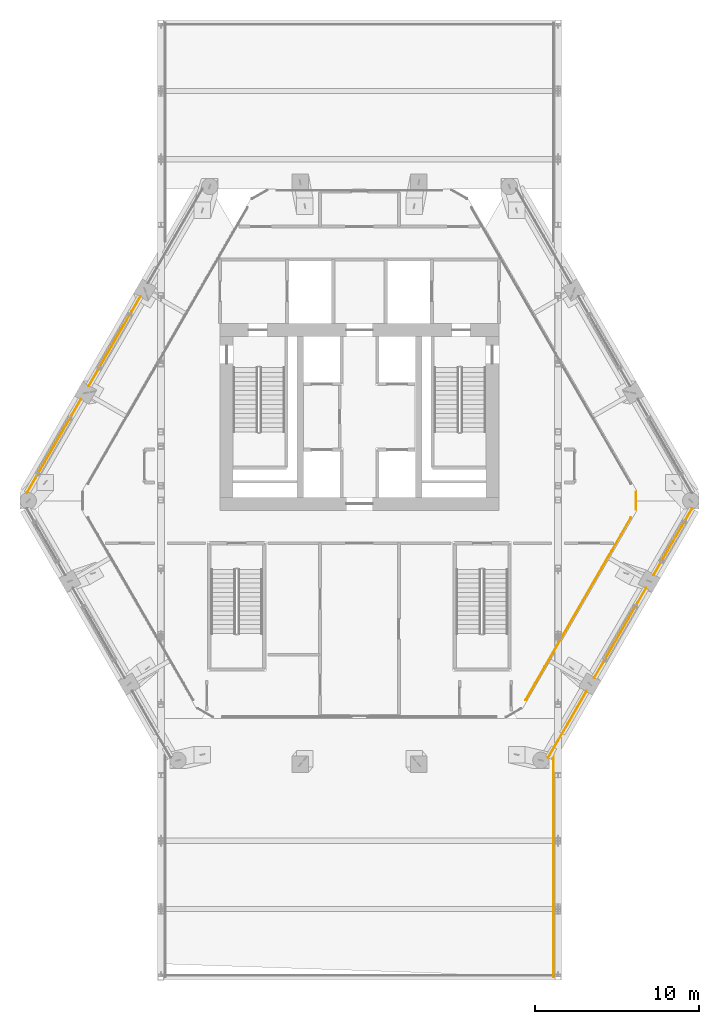
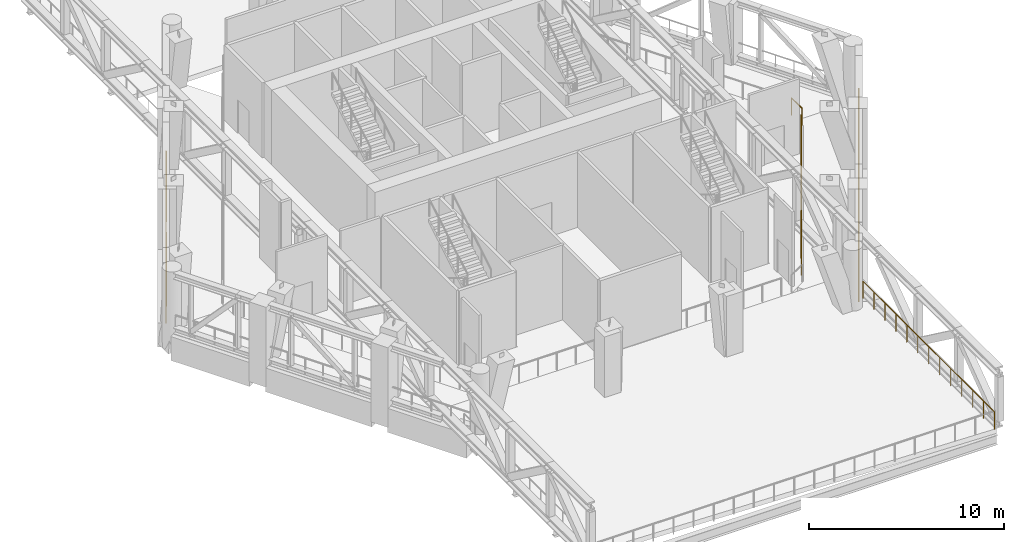
# One storey, part 20 of 22: 8 railings.
"""IFC4 building model written with IfcOpenShell, lengths in metres."""

import ifcopenshell
import ifcopenshell.guid

model = None  # the IFC model being written
_history = None  # IfcOwnerHistory: only IFC2X3 demands one
_inside = {}  # id of a spatial element -> (the spatial element, [elements in it])
_under = {}  # id of a project, library or spatial element -> (it, [spatial elements below it])
_declared = {}  # id of a project -> (the project, [libraries it declares])
_typed = {}  # id of a type object -> (the type object, [elements of that type])
_made_of = {}  # id of a material, layer set ... -> (it, [elements and type objects made of it])


def new_model(schema):
    """Start an empty IFC model of exactly this schema.

    Asked for "IFC4X3", IfcOpenShell would pick the latest addendum, in which some entities
    have other attributes; the version numbers below select the first issue.
    IFC2X3 requires an IfcOwnerHistory on every rooted entity: one is made here for all.
    """
    global model, _history
    if schema == "IFC4X3":
        model = ifcopenshell.file(schema_version=(4, 3, 0, 0))
    else:
        model = ifcopenshell.file(schema=schema)
    _inside.clear()
    _under.clear()
    _declared.clear()
    _typed.clear()
    _made_of.clear()
    _history = None
    if model.schema == "IFC2X3":
        org = make("IfcOrganization", Name="unknown")
        user = make(
            "IfcPersonAndOrganization",
            ThePerson=make("IfcPerson", FamilyName="unknown"),
            TheOrganization=org,
        )
        app = make(
            "IfcApplication",
            ApplicationDeveloper=org,
            Version="unknown",
            ApplicationFullName="unknown",
            ApplicationIdentifier="unknown",
        )
        _history = make(
            "IfcOwnerHistory",
            OwningUser=user,
            OwningApplication=app,
            ChangeAction="ADDED",
            CreationDate=0,
        )
    return model


def make(cls, **values):
    """One entity of the class cls with the attributes given. An attribute that is None is left unset."""
    return model.create_entity(
        cls, **{name: value for name, value in values.items() if value is not None}
    )


def rooted(cls, **values):
    """An entity with a GlobalId (a new one), such as an element, a storey or a relation."""
    return make(cls, GlobalId=ifcopenshell.guid.new(), OwnerHistory=_history, **values)


def si_unit(unit_type, name, prefix=None):
    """IfcSIUnit, for example si_unit("LENGTHUNIT", "METRE", prefix="MILLI")."""
    return make("IfcSIUnit", UnitType=unit_type, Prefix=prefix, Name=name)


def assignment(units):
    """IfcUnitAssignment: the units of a project."""
    return None if units is None else make("IfcUnitAssignment", Units=units)


def point(xyz):
    """IfcCartesianPoint."""
    return None if xyz is None else make("IfcCartesianPoint", Coordinates=xyz)


def direction(xyz):
    """IfcDirection."""
    return None if xyz is None else make("IfcDirection", DirectionRatios=xyz)


def frame(location, z_axis=None, x_axis=None):
    """IfcAxis2Placement3D, a coordinate frame: its origin and axes. An axis left out is left unset."""
    return make(
        "IfcAxis2Placement3D",
        Location=point(location),
        Axis=direction(z_axis),
        RefDirection=direction(x_axis),
    )


def frame_2d(location, x_axis=None):
    """IfcAxis2Placement2D, a coordinate frame in the plane: its origin and x axis."""
    return make(
        "IfcAxis2Placement2D", Location=point(location), RefDirection=direction(x_axis)
    )


def origin():
    """The frame at (0, 0, 0) with its axes left unset."""
    return frame((0.0, 0.0, 0.0))


def origin_2d():
    """The frame at (0, 0) in the plane with its x axis left unset."""
    return frame_2d((0.0, 0.0))


def place(relative_to, where):
    """IfcLocalPlacement: puts the frame where relative to a parent placement (None: the world)."""
    return make(
        "IfcLocalPlacement", PlacementRelTo=relative_to, RelativePlacement=where
    )


def context(
    kind, dimensions, precision=None, world=None, true_north=None, identifier=None
):
    """IfcGeometricRepresentationContext, for example the 3D "Model" context."""
    return make(
        "IfcGeometricRepresentationContext",
        ContextIdentifier=identifier,
        ContextType=kind,
        CoordinateSpaceDimension=dimensions,
        Precision=precision,
        WorldCoordinateSystem=world,
        TrueNorth=true_north,
    )


def subcontext(parent, identifier, kind, view, scale=None):
    """IfcGeometricRepresentationSubContext, for example "Body" below "Model"."""
    return make(
        "IfcGeometricRepresentationSubContext",
        ContextIdentifier=identifier,
        ContextType=kind,
        ParentContext=parent,
        TargetScale=scale,
        TargetView=view,
    )


def project(units=None, contexts=None):
    """IfcProject with its units and contexts."""
    return rooted(
        "IfcProject",
        Name="project",
        RepresentationContexts=contexts,
        UnitsInContext=assignment(units),
    )


def spatial(cls, under=None, at=None, **own):
    """A site, building, storey or space (cls), placed at a placement, below another one or the project."""
    s = rooted(cls, ObjectPlacement=at, **own)
    if under is not None:
        _under.setdefault(under.id(), (under, []))[1].append(s)
    return s


def profile(cls, at=None, kind="AREA", **sizes):
    """A parametric profile (cls). Its sizes go by their IFC names, for example OverallWidth=200.0."""
    return make(cls, ProfileType=kind, Position=at, **sizes)


def circle(**sizes):
    """IfcCircleProfileDef."""
    return profile("IfcCircleProfileDef", **sizes)


def extrude(swept, where, along, depth):
    """IfcExtrudedAreaSolid: the profile swept, set in the frame where, extruded along a direction by depth."""
    return make(
        "IfcExtrudedAreaSolid",
        SweptArea=swept,
        Position=where,
        ExtrudedDirection=direction(along),
        Depth=depth,
    )


def shape(context_of_items, identifier, shape_type, items):
    """IfcShapeRepresentation: the items that make up one representation, for example the "Body"."""
    return make(
        "IfcShapeRepresentation",
        ContextOfItems=context_of_items,
        RepresentationIdentifier=identifier,
        RepresentationType=shape_type,
        Items=items,
    )


def material(Name=None, Category=None):
    """IfcMaterial."""
    return make("IfcMaterial", Name=Name, Category=Category)


def made_of(thing, what):
    """Note that an element or type object is made of a material, layer set ...; save() writes the relation."""
    if what is not None:
        _made_of.setdefault(what.id(), (what, []))[1].append(thing)
    return thing


def type_object(cls, material=None, **own):
    """A type object (cls), such as IfcWallType, which elements share."""
    return made_of(rooted(cls, **own), material)


def element(
    cls,
    number,
    at=None,
    inside=None,
    cuts=None,
    type_object=None,
    material=None,
    context=None,
    identifier="Body",
    shape_type=None,
    held_by="IfcProductDefinitionShape",
    body=None,
    shapes=None,
    **own,
):
    """One element of the class cls, such as IfcWall. Its Tag is "e" and its number.

    at: its placement. inside: the storey or other place that contains it. cuts: it is an
    opening in that element (IfcRelVoidsElement). A single representation is given by context,
    identifier, shape_type and body (its items); several are given by shapes. held_by: the class
    of the entity that holds the representations. save() writes the other relations.
    """
    e = rooted(cls, Tag="e%d" % number, ObjectPlacement=at, **own)
    if body is not None:
        shapes = [shape(context, identifier, shape_type, body)]
    if shapes is not None:
        e.Representation = make(held_by, Representations=shapes)
    if inside is not None:
        _inside.setdefault(inside.id(), (inside, []))[1].append(e)
    if cuts is not None:
        rooted(
            "IfcRelVoidsElement", RelatingBuildingElement=cuts, RelatedOpeningElement=e
        )
    if type_object is not None:
        _typed.setdefault(type_object.id(), (type_object, []))[1].append(e)
    return made_of(e, material)


def aggregate(whole, parts):
    """IfcRelAggregates: a whole, such as a stair, and the parts it consists of."""
    return rooted("IfcRelAggregates", RelatingObject=whole, RelatedObjects=parts)


def save(model, path):
    """Write the relations noted so far, then the file.

    IfcRelAggregates (storeys below a building ...), IfcRelContainedInSpatialStructure (elements
    in a storey), IfcRelDefinesByType, IfcRelAssociatesMaterial and IfcRelDeclares: one each for
    every whole, place, type object, material and project.
    """
    for whole, parts in _under.values():
        aggregate(whole, parts)
    for where, things in _inside.values():
        rooted(
            "IfcRelContainedInSpatialStructure",
            RelatedElements=things,
            RelatingStructure=where,
        )
    for kind, things in _typed.values():
        rooted("IfcRelDefinesByType", RelatedObjects=things, RelatingType=kind)
    for what, things in _made_of.values():
        rooted("IfcRelAssociatesMaterial", RelatedObjects=things, RelatingMaterial=what)
    for by, libraries in _declared.values():
        rooted("IfcRelDeclares", RelatingContext=by, RelatedDefinitions=libraries)
    model.write(path)


model = new_model("IFC4")

# Units and contexts
model_context = context("Model", 3, precision=1e-05, world=origin(), true_north=direction((0.0, 1.0)))
body_context = subcontext(model_context, "Body", "Model", "MODEL_VIEW")
ifc_project = project(units=[si_unit("LENGTHUNIT", "METRE"), si_unit("AREAUNIT", "SQUARE_METRE"), si_unit("VOLUMEUNIT", "CUBIC_METRE"), si_unit("PLANEANGLEUNIT", "RADIAN"), si_unit("MASSUNIT", "GRAM", prefix="KILO")], contexts=[model_context])

# Site, building, storey
site_placement = place(None, origin())
site = spatial("IfcSite", under=ifc_project, at=site_placement, CompositionType="ELEMENT")
building_placement = place(site_placement, origin())
building = spatial("IfcBuilding", under=site, at=building_placement, Name="Ostrander Bayou Hotel Tower", CompositionType="ELEMENT")
storey_placement = place(building_placement, frame((0.0, 0.0, 209.5)))
storey = spatial("IfcBuildingStorey", under=building, at=storey_placement, Name="L52", CompositionType="ELEMENT", Elevation=209.5)

# Railings
ifc_material = material(Name="Stainless steel and clear glass", Category="steel")
railing_type = type_object("IfcRailingType", Name="GR1 guard 1100 mm", PredefinedType="GUARDRAIL", material=ifc_material)
railing_1_placement = place(storey_placement, frame((-13.353759765625, 11.344970703125, 0.0)))
element("IfcRailing", 1, at=railing_1_placement, inside=storey, type_object=railing_type, Name="GR1 L52 NW-2 open band guard", PredefinedType="GUARDRAIL", context=body_context, shape_type="SweptSolid", body=[
    extrude(circle(Radius=0.02490234375, at=origin_2d()), frame((0.0, 0.0, 1.0751953125), z_axis=(-0.500013351051, -0.866017695414, 0.0), x_axis=(0.866017695414, -0.500013351051, 0.0)), (0.0, 0.0, 1.0), 6.296142578125),
    extrude(circle(Radius=0.02001953125, at=origin_2d()), origin(), (0.0, 0.0, 1.0), 1.050048828125),
    extrude(circle(Radius=0.02001953125, at=origin_2d()), frame((-0.524658203125, -0.90869140625, 0.0)), (0.0, 0.0, 1.0), 1.050048828125),
    extrude(circle(Radius=0.02001953125, at=origin_2d()), frame((-1.04931640625, -1.817626953125, 0.0)), (0.0, 0.0, 1.0), 1.050048828125),
    extrude(circle(Radius=0.02001953125, at=origin_2d()), frame((-1.57421875, -2.726318359375, 0.0)), (0.0, 0.0, 1.0), 1.050048828125),
    extrude(circle(Radius=0.02001953125, at=origin_2d()), frame((-2.098876953125, -3.635009765625, 0.0)), (0.0, 0.0, 1.0), 1.050048828125),
    extrude(circle(Radius=0.02001953125, at=origin_2d()), frame((-2.62353515625, -4.5439453125, 0.0)), (0.0, 0.0, 1.0), 1.050048828125),
    extrude(circle(Radius=0.02001953125, at=origin_2d()), frame((-3.148193359375, -5.45263671875, 0.0)), (0.0, 0.0, 1.0), 1.050048828125),
])
railing_2_placement = place(storey_placement, frame((-16.971923828125, 5.078125, 0.0)))
element("IfcRailing", 2, at=railing_2_placement, inside=storey, type_object=railing_type, Name="GR1 L52 NW-3 open band guard", PredefinedType="GUARDRAIL", context=body_context, shape_type="SweptSolid", body=[
    extrude(circle(Radius=0.02490234375, at=origin_2d()), frame((0.0, 0.0, 1.0751953125), z_axis=(-0.500010360262, -0.866019422202, 0.0), x_axis=(0.866019422202, -0.500010360262, 0.0)), (0.0, 0.0, 1.0), 6.606201171875),
    extrude(circle(Radius=0.02001953125, at=origin_2d()), origin(), (0.0, 0.0, 1.0), 1.050048828125),
    extrude(circle(Radius=0.02001953125, at=origin_2d()), frame((-0.550537109375, -0.95361328125, 0.0)), (0.0, 0.0, 1.0), 1.050048828125),
    extrude(circle(Radius=0.02001953125, at=origin_2d()), frame((-1.10107421875, -1.906982421875, 0.0)), (0.0, 0.0, 1.0), 1.050048828125),
    extrude(circle(Radius=0.02001953125, at=origin_2d()), frame((-1.651611328125, -2.860595703125, 0.0)), (0.0, 0.0, 1.0), 1.050048828125),
    extrude(circle(Radius=0.02001953125, at=origin_2d()), frame((-2.2021484375, -3.814208984375, 0.0)), (0.0, 0.0, 1.0), 1.050048828125),
    extrude(circle(Radius=0.02001953125, at=origin_2d()), frame((-2.752685546875, -4.767578125, 0.0)), (0.0, 0.0, 1.0), 1.050048828125),
    extrude(circle(Radius=0.02001953125, at=origin_2d()), frame((-3.30322265625, -5.72119140625, 0.0)), (0.0, 0.0, 1.0), 1.050048828125),
])
railing_3_placement = place(storey_placement, frame((11.508056640625, -16.767578125, 0.0)))
element("IfcRailing", 3, at=railing_3_placement, inside=storey, type_object=railing_type, Name="GR1 L52 SE-1 open band guard", PredefinedType="GUARDRAIL", context=body_context, shape_type="SweptSolid", body=[
    extrude(circle(Radius=0.02490234375, at=origin_2d()), frame((0.0, 0.0, 1.0751953125), z_axis=(0.499966354109, 0.866044828377, 0.0), x_axis=(-0.866044828377, 0.499966354109, 0.0)), (0.0, 0.0, 1.0), 4.678955078125),
    extrude(circle(Radius=0.02001953125, at=origin_2d()), origin(), (0.0, 0.0, 1.0), 1.050048828125),
    extrude(circle(Radius=0.02001953125, at=origin_2d()), frame((0.5849609375, 1.01318359375, 0.0)), (0.0, 0.0, 1.0), 1.050048828125),
    extrude(circle(Radius=0.02001953125, at=origin_2d()), frame((1.169677734375, 2.026123046875, 0.0)), (0.0, 0.0, 1.0), 1.050048828125),
    extrude(circle(Radius=0.02001953125, at=origin_2d()), frame((1.75439453125, 3.0390625, 0.0)), (0.0, 0.0, 1.0), 1.050048828125),
    extrude(circle(Radius=0.02001953125, at=origin_2d()), frame((2.33935546875, 4.05224609375, 0.0)), (0.0, 0.0, 1.0), 1.050048828125),
])
railing_4_placement = place(storey_placement, frame((14.3173828125, -11.9013671875, 0.0)))
element("IfcRailing", 4, at=railing_4_placement, inside=storey, type_object=railing_type, Name="GR1 L52 SE-2 open band guard", PredefinedType="GUARDRAIL", context=body_context, shape_type="SweptSolid", body=[
    extrude(circle(Radius=0.02490234375, at=origin_2d()), frame((0.0, 0.0, 1.0751953125), z_axis=(0.500013351051, 0.866017695414, 0.0), x_axis=(-0.866017695414, 0.500013351051, 0.0)), (0.0, 0.0, 1.0), 6.296142578125),
    extrude(circle(Radius=0.02001953125, at=origin_2d()), origin(), (0.0, 0.0, 1.0), 1.050048828125),
    extrude(circle(Radius=0.02001953125, at=origin_2d()), frame((0.524658203125, 0.90869140625, 0.0)), (0.0, 0.0, 1.0), 1.050048828125),
    extrude(circle(Radius=0.02001953125, at=origin_2d()), frame((1.04931640625, 1.817626953125, 0.0)), (0.0, 0.0, 1.0), 1.050048828125),
    extrude(circle(Radius=0.02001953125, at=origin_2d()), frame((1.57421875, 2.726318359375, 0.0)), (0.0, 0.0, 1.0), 1.050048828125),
    extrude(circle(Radius=0.02001953125, at=origin_2d()), frame((2.098876953125, 3.635009765625, 0.0)), (0.0, 0.0, 1.0), 1.050048828125),
    extrude(circle(Radius=0.02001953125, at=origin_2d()), frame((2.62353515625, 4.5439453125, 0.0)), (0.0, 0.0, 1.0), 1.050048828125),
    extrude(circle(Radius=0.02001953125, at=origin_2d()), frame((3.148193359375, 5.45263671875, 0.0)), (0.0, 0.0, 1.0), 1.050048828125),
])
railing_5_placement = place(storey_placement, frame((17.935546875, -5.634521484375, 0.0)))
element("IfcRailing", 5, at=railing_5_placement, inside=storey, type_object=railing_type, Name="GR1 L52 SE-3 open band guard", PredefinedType="GUARDRAIL", context=body_context, shape_type="SweptSolid", body=[
    extrude(circle(Radius=0.02490234375, at=origin_2d()), frame((0.0, 0.0, 1.0751953125), z_axis=(0.500028081597, 0.86600919026, 0.0), x_axis=(-0.86600919026, 0.500028081597, 0.0)), (0.0, 0.0, 1.0), 4.678955078125),
    extrude(circle(Radius=0.02001953125, at=origin_2d()), origin(), (0.0, 0.0, 1.0), 1.050048828125),
    extrude(circle(Radius=0.02001953125, at=origin_2d()), frame((0.5849609375, 1.012939453125, 0.0)), (0.0, 0.0, 1.0), 1.050048828125),
    extrude(circle(Radius=0.02001953125, at=origin_2d()), frame((1.169921875, 2.02587890625, 0.0)), (0.0, 0.0, 1.0), 1.050048828125),
    extrude(circle(Radius=0.02001953125, at=origin_2d()), frame((1.754638671875, 3.0390625, 0.0)), (0.0, 0.0, 1.0), 1.050048828125),
    extrude(circle(Radius=0.02001953125, at=origin_2d()), frame((2.339599609375, 4.052001953125, 0.0)), (0.0, 0.0, 1.0), 1.050048828125),
])
railing_6_placement = place(storey_placement, frame((16.861328125, -1.645263671875, 0.0)))
element("IfcRailing", 6, at=railing_6_placement, inside=storey, type_object=railing_type, Name="GR1 L52 corner guard 5", PredefinedType="GUARDRAIL", context=body_context, shape_type="SweptSolid", body=[
    extrude(circle(Radius=0.02490234375, at=origin_2d()), frame((0.0, 0.0, 1.0751953125), z_axis=(0.0, 1.0, 0.0), x_axis=(-1.0, 0.0, 0.0)), (0.0, 0.0, 1.0), 1.06494140625),
    extrude(circle(Radius=0.02001953125, at=origin_2d()), origin(), (0.0, 0.0, 1.0), 1.050048828125),
    extrude(circle(Radius=0.02001953125, at=origin_2d()), frame((0.0, 1.06494140625, 0.0)), (0.0, 0.0, 1.0), 1.050048828125),
])
railing_7_placement = place(storey_placement, frame((16.540283203125, -2.151611328125, 0.0)))
element("IfcRailing", 7, at=railing_7_placement, inside=storey, type_object=railing_type, Name="GR1 L52 edge guard 3", PredefinedType="GUARDRAIL", context=body_context, shape_type="SweptSolid", body=[
    extrude(circle(Radius=0.02490234375, at=origin_2d()), frame((0.0, 0.0, 1.0751953125), z_axis=(-0.50000997732, -0.8660196433, 0.0), x_axis=(0.8660196433, -0.50000997732, 0.0)), (0.0, 0.0, 1.0), 12.813720703125),
    extrude(circle(Radius=0.02001953125, at=origin_2d()), origin(), (0.0, 0.0, 1.0), 1.050048828125),
    extrude(circle(Radius=0.02001953125, at=origin_2d()), frame((-0.58251953125, -1.0087890625, 0.0)), (0.0, 0.0, 1.0), 1.050048828125),
    extrude(circle(Radius=0.02001953125, at=origin_2d()), frame((-1.164794921875, -2.017578125, 0.0)), (0.0, 0.0, 1.0), 1.050048828125),
    extrude(circle(Radius=0.02001953125, at=origin_2d()), frame((-1.747314453125, -3.0263671875, 0.0)), (0.0, 0.0, 1.0), 1.050048828125),
    extrude(circle(Radius=0.02001953125, at=origin_2d()), frame((-2.329833984375, -4.03515625, 0.0)), (0.0, 0.0, 1.0), 1.050048828125),
    extrude(circle(Radius=0.02001953125, at=origin_2d()), frame((-2.912353515625, -5.0439453125, 0.0)), (0.0, 0.0, 1.0), 1.050048828125),
    extrude(circle(Radius=0.02001953125, at=origin_2d()), frame((-3.49462890625, -6.052978515625, 0.0)), (0.0, 0.0, 1.0), 1.050048828125),
    extrude(circle(Radius=0.02001953125, at=origin_2d()), frame((-4.0771484375, -7.061767578125, 0.0)), (0.0, 0.0, 1.0), 1.050048828125),
    extrude(circle(Radius=0.02001953125, at=origin_2d()), frame((-4.65966796875, -8.070556640625, 0.0)), (0.0, 0.0, 1.0), 1.050048828125),
    extrude(circle(Radius=0.02001953125, at=origin_2d()), frame((-5.2421875, -9.079345703125, 0.0)), (0.0, 0.0, 1.0), 1.050048828125),
    extrude(circle(Radius=0.02001953125, at=origin_2d()), frame((-5.824462890625, -10.088134765625, 0.0)), (0.0, 0.0, 1.0), 1.050048828125),
    extrude(circle(Radius=0.02001953125, at=origin_2d()), frame((-6.406982421875, -11.096923828125, 0.0)), (0.0, 0.0, 1.0), 1.050048828125),
])
railing_8_placement = place(storey_placement, frame((11.832275390625, -30.14990234375, 0.0)))
element("IfcRailing", 8, at=railing_8_placement, inside=storey, type_object=railing_type, Name="GR1 bar roof guard SB4 1", PredefinedType="GUARDRAIL", context=body_context, shape_type="SweptSolid", body=[
    extrude(circle(Radius=0.02490234375, at=origin_2d()), frame((0.0, 0.0, 1.0751953125), z_axis=(0.0, 1.0, 0.0), x_axis=(-1.0, 0.0, 0.0)), (0.0, 0.0, 1.0), 13.51416015625),
    extrude(circle(Radius=0.02001953125, at=origin_2d()), origin(), (0.0, 0.0, 1.0), 1.050048828125),
    extrude(circle(Radius=0.02001953125, at=origin_2d()), frame((0.0, 1.126220703125, 0.0)), (0.0, 0.0, 1.0), 1.050048828125),
    extrude(circle(Radius=0.02001953125, at=origin_2d()), frame((0.0, 2.25244140625, 0.0)), (0.0, 0.0, 1.0), 1.050048828125),
    extrude(circle(Radius=0.02001953125, at=origin_2d()), frame((0.0, 3.37841796875, 0.0)), (0.0, 0.0, 1.0), 1.050048828125),
    extrude(circle(Radius=0.02001953125, at=origin_2d()), frame((0.0, 4.504638671875, 0.0)), (0.0, 0.0, 1.0), 1.050048828125),
    extrude(circle(Radius=0.02001953125, at=origin_2d()), frame((0.0, 5.630859375, 0.0)), (0.0, 0.0, 1.0), 1.050048828125),
    extrude(circle(Radius=0.02001953125, at=origin_2d()), frame((0.0, 6.757080078125, 0.0)), (0.0, 0.0, 1.0), 1.050048828125),
    extrude(circle(Radius=0.02001953125, at=origin_2d()), frame((0.0, 7.88330078125, 0.0)), (0.0, 0.0, 1.0), 1.050048828125),
    extrude(circle(Radius=0.02001953125, at=origin_2d()), frame((0.0, 9.009521484375, 0.0)), (0.0, 0.0, 1.0), 1.050048828125),
    extrude(circle(Radius=0.02001953125, at=origin_2d()), frame((0.0, 10.1357421875, 0.0)), (0.0, 0.0, 1.0), 1.050048828125),
    extrude(circle(Radius=0.02001953125, at=origin_2d()), frame((0.0, 11.26171875, 0.0)), (0.0, 0.0, 1.0), 1.050048828125),
    extrude(circle(Radius=0.02001953125, at=origin_2d()), frame((0.0, 12.387939453125, 0.0)), (0.0, 0.0, 1.0), 1.050048828125),
    extrude(circle(Radius=0.02001953125, at=origin_2d()), frame((0.0, 13.51416015625, 0.0)), (0.0, 0.0, 1.0), 1.050048828125),
])

save(model, "model.ifc")
